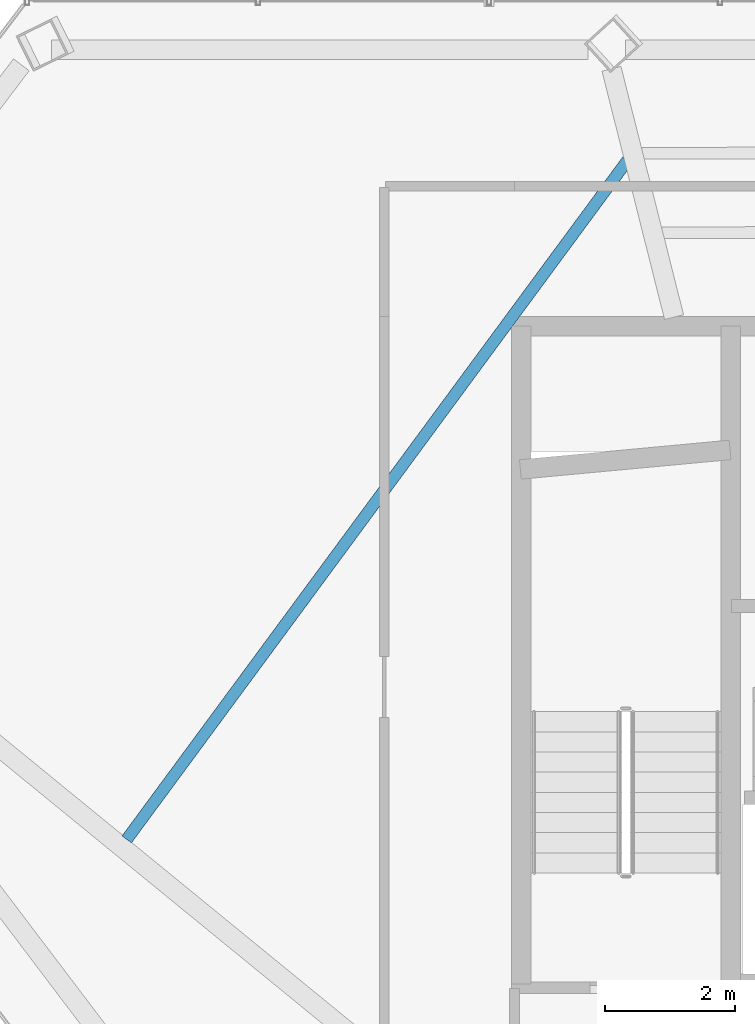
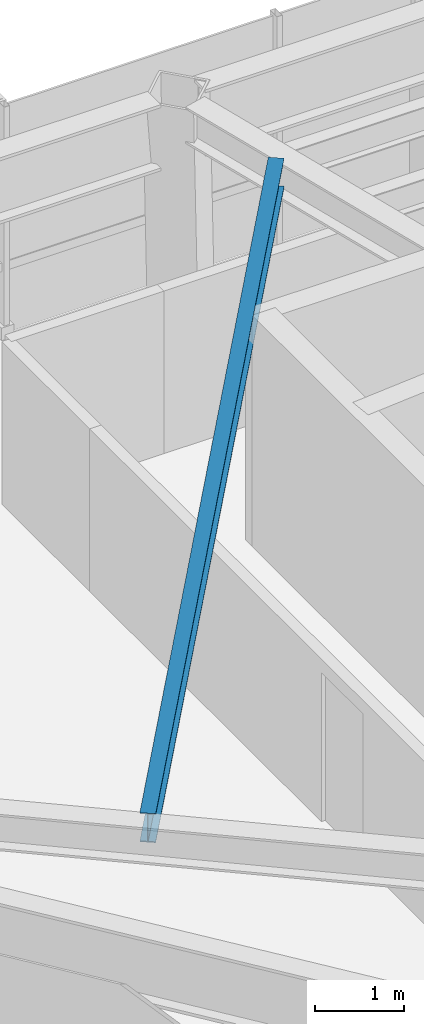
# One storey, part 10 of 27: 1 beam.
"""IFC4 building model written with IfcOpenShell, lengths in metres."""

from ifc_helpers import new_model, si_unit, direction, frame, origin, origin_2d, place, context, subcontext, project, spatial, i_section, extrude, material, material_profile, profile_set, type_object, element, save


model = new_model("IFC4")

# Units and contexts
model_context = context("Model", 3, precision=1e-05, world=origin(), true_north=direction((0.0, 1.0)))
body_context = subcontext(model_context, "Body", "Model", "MODEL_VIEW")
ifc_project = project(units=[si_unit("LENGTHUNIT", "METRE"), si_unit("AREAUNIT", "SQUARE_METRE"), si_unit("VOLUMEUNIT", "CUBIC_METRE"), si_unit("PLANEANGLEUNIT", "RADIAN"), si_unit("MASSUNIT", "GRAM", prefix="KILO")], contexts=[model_context])

# Site, building, storey
site_placement = place(None, origin())
site = spatial("IfcSite", under=ifc_project, at=site_placement, CompositionType="ELEMENT")
building_placement = place(site_placement, origin())
building = spatial("IfcBuilding", under=site, at=building_placement, Name="Zarrinselat Tower", CompositionType="ELEMENT")
storey_placement = place(building_placement, frame((0.0, 0.0, 215.56005859375)))
storey = spatial("IfcBuildingStorey", under=building, at=storey_placement, Name="L53", CompositionType="ELEMENT", Elevation=215.56005859375)

# Beam
ifc_material = material(Name="Steel S355J2", Category="steel")
ifc_material_profile = material_profile(ifc_material, i_section(OverallWidth=0.179931640625, OverallDepth=0.39990234375, WebThickness=0.008544921875, FlangeThickness=0.013427734375, at=origin_2d()), Name="IPE 400")
ifc_profile_set = profile_set([ifc_material_profile], Name="Steel S355J2")
beam_type = type_object("IfcBeamType", Name="BM-IPE400", PredefinedType="JOIST", material=ifc_profile_set)
beam_placement = place(storey_placement, frame((22.593505859375, 35.517822265625, 2.97998046875), z_axis=(0.593569915781, 0.804782427169, 0.0), x_axis=(-0.804782427169, 0.593569915781, 0.0)))
element("IfcBeam", 1, at=beam_placement, inside=storey, type_object=beam_type, Name="L53 Composite Floor Joist 9-1", PredefinedType="JOIST", context=body_context, shape_type="SweptSolid", body=[
    extrude(i_section(OverallWidth=0.179931640625, OverallDepth=0.39990234375, WebThickness=0.008544921875, FlangeThickness=0.013427734375, at=origin_2d()), origin(), (0.0, 0.0, 1.0), 12.9541015625),
])

save(model, "model.ifc")
